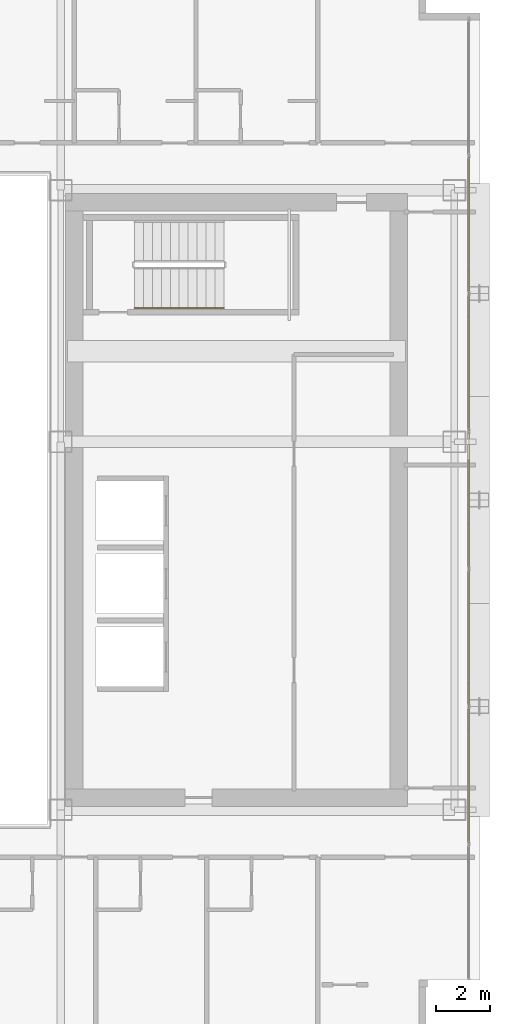
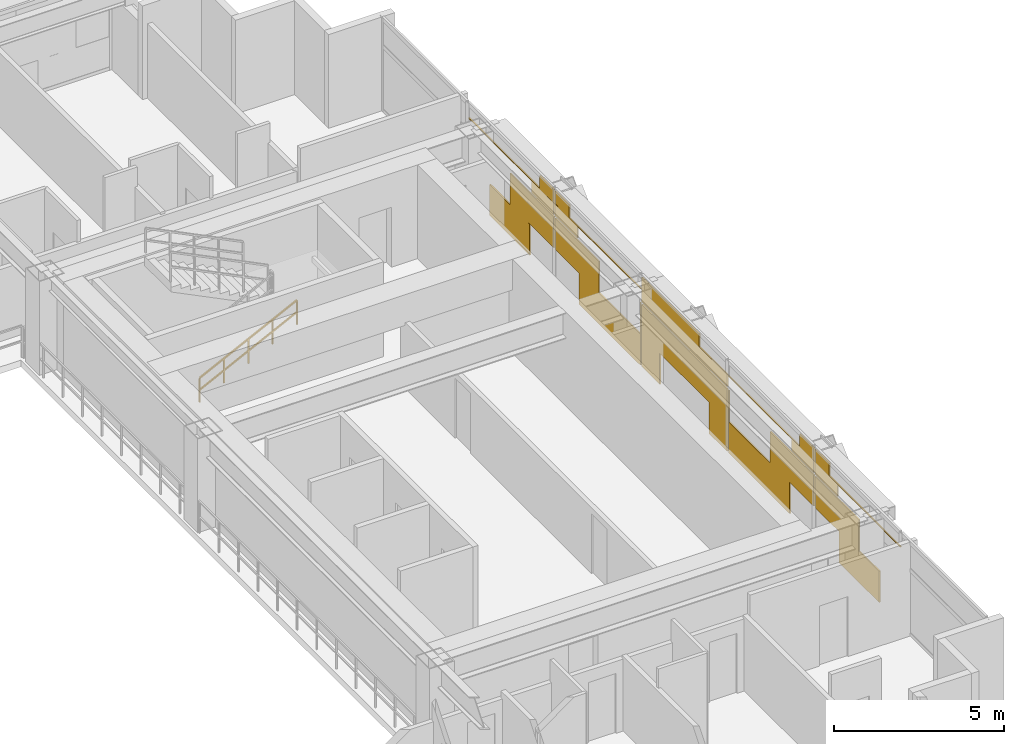
# One storey, part 35 of 36: 1 covering, 1 railing.
"""IFC4 building model written with IfcOpenShell, lengths in metres."""

from ifc_helpers import new_model, si_unit, direction, frame, origin, origin_2d, place, context, subcontext, project, spatial, rectangle, extrude, material, layer, layer_set, type_object, element, save


model = new_model("IFC4")

# Units and contexts
model_context = context("Model", 3, precision=1e-05, world=origin(), true_north=direction((0.0, 1.0)))
body_context = subcontext(model_context, "Body", "Model", "MODEL_VIEW")
ifc_project = project(units=[si_unit("LENGTHUNIT", "METRE"), si_unit("AREAUNIT", "SQUARE_METRE"), si_unit("VOLUMEUNIT", "CUBIC_METRE"), si_unit("PLANEANGLEUNIT", "RADIAN"), si_unit("MASSUNIT", "GRAM", prefix="KILO")], contexts=[model_context])

# Site, building, storey
site_placement = place(None, origin())
site = spatial("IfcSite", under=ifc_project, at=site_placement, CompositionType="ELEMENT")
building_placement = place(site_placement, origin())
building = spatial("IfcBuilding", under=site, at=building_placement, Name="Ocotamira Hotel", CompositionType="ELEMENT")
storey_placement = place(building_placement, frame((0.0, 0.0, 133.199951171875)))
storey = spatial("IfcBuildingStorey", under=building, at=storey_placement, Name="L33", CompositionType="ELEMENT", Elevation=133.199951171875)

# Covering
ifc_material_1 = material(Name="Insulated pale-metal aluminium spandrel panel", Category="aluminium")
ifc_layer = layer(ifc_material_1, 0.044921875)
ifc_layer_set = layer_set([ifc_layer], Name="Insulated pale-metal aluminium spandrel panel")
covering_type = type_object("IfcCoveringType", Name="COV-INFILL-45", PredefinedType="CLADDING", material=ifc_layer_set)
covering_placement = place(storey_placement, origin())
element("IfcCovering", 1, at=covering_placement, inside=storey, type_object=covering_type, Name="L33 Curtain Wall Infill CW-3 CW-L33-E", PredefinedType="CLADDING", context=body_context, shape_type="SweptSolid", body=[
    extrude(rectangle(XDim=2.35107421875, YDim=0.044921875, at=origin_2d()), frame((55.580078125, 15.741943359375, 0.07568359375), z_axis=(0.0, 0.0, 1.0), x_axis=(0.0, 1.0, 0.0)), (0.0, 0.0, 1.0), 1.117919921875),
    extrude(rectangle(XDim=2.578369140625, YDim=0.044921875, at=origin_2d()), frame((55.580078125, 17.041748046875, 1.1943359375), z_axis=(0.0, 0.0, 1.0), x_axis=(0.0, 1.0, 0.0)), (0.0, 0.0, 1.0), 1.11767578125),
    extrude(rectangle(XDim=5.004638671875, YDim=0.044921875, at=origin_2d()), frame((55.580078125, 15.82861328125, 2.802490234375), z_axis=(0.0, 0.0, 1.0), x_axis=(0.0, 1.0, 0.0)), (0.0, 0.0, 1.0), 0.033203125),
    extrude(rectangle(XDim=1.312744140625, YDim=0.044921875, at=origin_2d()), frame((55.580078125, 17.674560546875, 2.38818359375), z_axis=(0.0, 0.0, 1.0), x_axis=(0.0, 1.0, 0.0)), (0.0, 0.0, 1.0), 0.413330078125),
    extrude(rectangle(XDim=0.837158203125, YDim=0.044921875, at=origin_2d()), frame((55.580078125, 17.912353515625, 2.836669921875), z_axis=(0.0, 0.0, 1.0), x_axis=(0.0, 1.0, 0.0)), (0.0, 0.0, 1.0), 0.44775390625),
    extrude(rectangle(XDim=2.568603515625, YDim=0.044921875, at=origin_2d()), frame((55.580078125, 19.6962890625, 1.1943359375), z_axis=(0.0, 0.0, 1.0), x_axis=(0.0, 1.0, 0.0)), (0.0, 0.0, 1.0), 1.11767578125),
    extrude(rectangle(XDim=3.600830078125, YDim=0.044921875, at=origin_2d()), frame((55.580078125, 21.6162109375, 0.07568359375), z_axis=(0.0, 0.0, 1.0), x_axis=(0.0, 1.0, 0.0)), (0.0, 0.0, 1.0), 1.117919921875),
    extrude(rectangle(XDim=0.03076171875, YDim=0.044921875, at=origin_2d()), frame((55.580078125, 23.4013671875, 1.1943359375), z_axis=(0.0, 0.0, 1.0), x_axis=(0.0, 1.0, 0.0)), (0.0, 0.0, 1.0), 1.11767578125),
    extrude(rectangle(XDim=1.302978515625, YDim=0.044921875, at=origin_2d()), frame((55.580078125, 19.0634765625, 2.38818359375), z_axis=(0.0, 0.0, 1.0), x_axis=(0.0, 1.0, 0.0)), (0.0, 0.0, 1.0), 0.413330078125),
    extrude(rectangle(XDim=5.004638671875, YDim=0.044921875, at=origin_2d()), frame((55.580078125, 20.914306640625, 2.802490234375), z_axis=(0.0, 0.0, 1.0), x_axis=(0.0, 1.0, 0.0)), (0.0, 0.0, 1.0), 0.033203125),
    extrude(rectangle(XDim=0.827392578125, YDim=0.044921875, at=origin_2d()), frame((55.580078125, 18.82568359375, 2.836669921875), z_axis=(0.0, 0.0, 1.0), x_axis=(0.0, 1.0, 0.0)), (0.0, 0.0, 1.0), 0.44775390625),
    extrude(rectangle(XDim=1.05322265625, YDim=0.044921875, at=origin_2d()), frame((55.580078125, 24.0244140625, 0.07568359375), z_axis=(0.0, 0.0, 1.0), x_axis=(0.0, 1.0, 0.0)), (0.0, 0.0, 1.0), 1.117919921875),
    extrude(rectangle(XDim=5.004638671875, YDim=0.044921875, at=origin_2d()), frame((55.580078125, 26.0, 1.1943359375), z_axis=(0.0, 0.0, 1.0), x_axis=(0.0, 1.0, 0.0)), (0.0, 0.0, 1.0), 1.11767578125),
    extrude(rectangle(XDim=1.05322265625, YDim=0.044921875, at=origin_2d()), frame((55.580078125, 27.9755859375, 0.07568359375), z_axis=(0.0, 0.0, 1.0), x_axis=(0.0, 1.0, 0.0)), (0.0, 0.0, 1.0), 1.117919921875),
    extrude(rectangle(XDim=5.004638671875, YDim=0.044921875, at=origin_2d()), frame((55.580078125, 26.0, 2.387939453125), z_axis=(0.0, 0.0, 1.0), x_axis=(0.0, 1.0, 0.0)), (0.0, 0.0, 1.0), 0.44775390625),
    extrude(rectangle(XDim=3.375, YDim=0.044921875, at=origin_2d()), frame((55.580078125, 26.814697265625, 2.836669921875), z_axis=(0.0, 0.0, 1.0), x_axis=(0.0, 1.0, 0.0)), (0.0, 0.0, 1.0), 0.44775390625),
    extrude(rectangle(XDim=3.600830078125, YDim=0.044921875, at=origin_2d()), frame((55.580078125, 30.3837890625, 0.07568359375), z_axis=(0.0, 0.0, 1.0), x_axis=(0.0, 1.0, 0.0)), (0.0, 0.0, 1.0), 1.117919921875),
    extrude(rectangle(XDim=0.03076171875, YDim=0.044921875, at=origin_2d()), frame((55.580078125, 28.5986328125, 1.1943359375), z_axis=(0.0, 0.0, 1.0), x_axis=(0.0, 1.0, 0.0)), (0.0, 0.0, 1.0), 1.11767578125),
    extrude(rectangle(XDim=2.568603515625, YDim=0.044921875, at=origin_2d()), frame((55.580078125, 32.3037109375, 1.1943359375), z_axis=(0.0, 0.0, 1.0), x_axis=(0.0, 1.0, 0.0)), (0.0, 0.0, 1.0), 1.11767578125),
    extrude(rectangle(XDim=5.004638671875, YDim=0.044921875, at=origin_2d()), frame((55.580078125, 31.085693359375, 2.802490234375), z_axis=(0.0, 0.0, 1.0), x_axis=(0.0, 1.0, 0.0)), (0.0, 0.0, 1.0), 0.033203125),
    extrude(rectangle(XDim=1.302978515625, YDim=0.044921875, at=origin_2d()), frame((55.580078125, 32.9365234375, 2.38818359375), z_axis=(0.0, 0.0, 1.0), x_axis=(0.0, 1.0, 0.0)), (0.0, 0.0, 1.0), 0.413330078125),
    extrude(rectangle(XDim=0.827392578125, YDim=0.044921875, at=origin_2d()), frame((55.580078125, 33.17431640625, 2.836669921875), z_axis=(0.0, 0.0, 1.0), x_axis=(0.0, 1.0, 0.0)), (0.0, 0.0, 1.0), 0.44775390625),
    extrude(rectangle(XDim=2.578369140625, YDim=0.044921875, at=origin_2d()), frame((55.580078125, 34.958251953125, 1.1943359375), z_axis=(0.0, 0.0, 1.0), x_axis=(0.0, 1.0, 0.0)), (0.0, 0.0, 1.0), 1.11767578125),
    extrude(rectangle(XDim=2.35107421875, YDim=0.044921875, at=origin_2d()), frame((55.580078125, 36.258056640625, 0.07568359375), z_axis=(0.0, 0.0, 1.0), x_axis=(0.0, 1.0, 0.0)), (0.0, 0.0, 1.0), 1.117919921875),
    extrude(rectangle(XDim=1.312744140625, YDim=0.044921875, at=origin_2d()), frame((55.580078125, 34.325439453125, 2.38818359375), z_axis=(0.0, 0.0, 1.0), x_axis=(0.0, 1.0, 0.0)), (0.0, 0.0, 1.0), 0.413330078125),
    extrude(rectangle(XDim=5.004638671875, YDim=0.044921875, at=origin_2d()), frame((55.580078125, 36.17138671875, 2.802490234375), z_axis=(0.0, 0.0, 1.0), x_axis=(0.0, 1.0, 0.0)), (0.0, 0.0, 1.0), 0.033203125),
    extrude(rectangle(XDim=0.837158203125, YDim=0.044921875, at=origin_2d()), frame((55.580078125, 34.087646484375, 2.836669921875), z_axis=(0.0, 0.0, 1.0), x_axis=(0.0, 1.0, 0.0)), (0.0, 0.0, 1.0), 0.44775390625),
])

# Railing
ifc_material_2 = material(Name="Brushed stainless steel handrail", Category="steel")
railing_type = type_object("IfcRailingType", Name="RL-HAND-900", PredefinedType="HANDRAIL", material=ifc_material_2)
railing_placement = place(storey_placement, frame((43.22998046875, 33.10009765625, 0.327392578125)))
element("IfcRailing", 2, at=railing_placement, inside=storey, type_object=railing_type, Name="L33 ST-4 stair handrail 1", PredefinedType="HANDRAIL", context=body_context, shape_type="SweptSolid", body=[
    extrude(rectangle(XDim=0.048095703125, YDim=0.048095703125, at=origin_2d()), frame((0.0, 0.0, 0.8759765625), z_axis=(0.895920123917, 0.0, 0.444215186098), x_axis=(0.0, 1.0, 0.0)), (0.0, 0.0, 1.0), 3.683349609375),
    extrude(rectangle(XDim=0.048095703125, YDim=0.048095703125, at=origin_2d()), frame((0.0, 0.0, 0.449951171875), z_axis=(0.895920123917, 0.0, 0.444215186098), x_axis=(0.0, 1.0, 0.0)), (0.0, 0.0, 1.0), 3.683349609375),
    extrude(rectangle(XDim=0.0419921875, YDim=0.0419921875, at=origin_2d()), origin(), (0.0, 0.0, 1.0), 0.851806640625),
    extrude(rectangle(XDim=0.0419921875, YDim=0.0419921875, at=origin_2d()), frame((0.824951171875, 0.0, 0.4091796875)), (0.0, 0.0, 1.0), 0.851806640625),
    extrude(rectangle(XDim=0.0419921875, YDim=0.0419921875, at=origin_2d()), frame((1.64990234375, 0.0, 0.818115234375)), (0.0, 0.0, 1.0), 0.851806640625),
    extrude(rectangle(XDim=0.0419921875, YDim=0.0419921875, at=origin_2d()), frame((2.47509765625, 0.0, 1.22705078125)), (0.0, 0.0, 1.0), 0.851806640625),
    extrude(rectangle(XDim=0.0419921875, YDim=0.0419921875, at=origin_2d()), frame((3.300048828125, 0.0, 1.63623046875)), (0.0, 0.0, 1.0), 0.851806640625),
])

save(model, "model.ifc")
